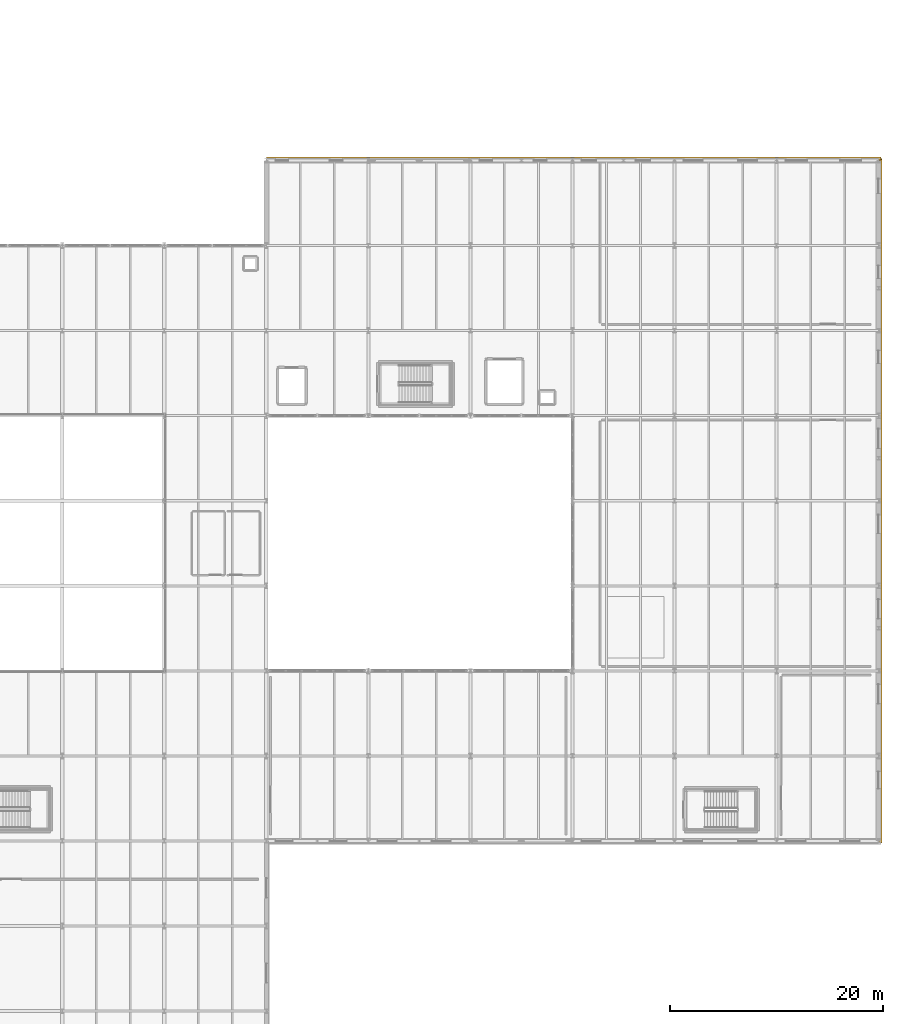
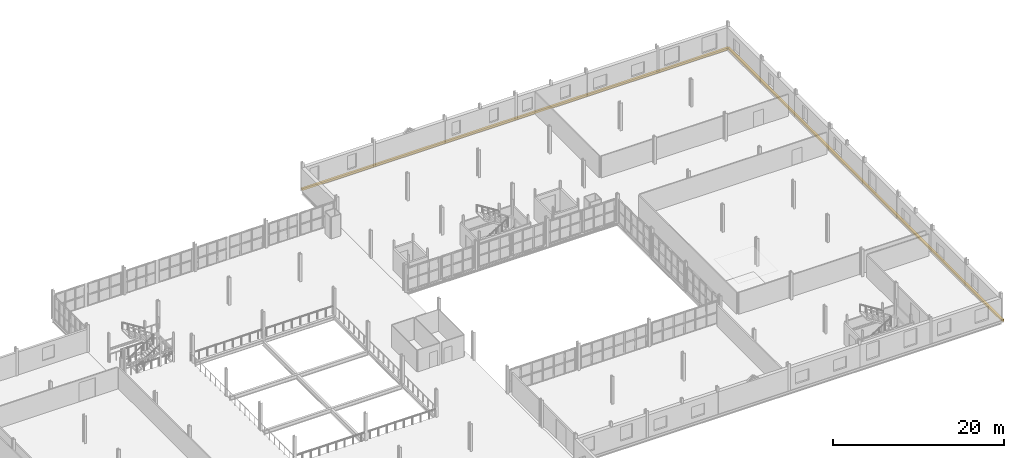
# One storey, part 78 of 78: 2 coverings.
"""IFC4 building model written with IfcOpenShell, lengths in metres."""

from ifc_helpers import new_model, si_unit, direction, frame, frame_2d, origin, place, context, subcontext, project, spatial, rectangle, extrude, material, layer, layer_set, type_object, element, save


model = new_model("IFC4")

# Units and contexts
model_context = context("Model", 3, precision=1e-05, world=origin(), true_north=direction((0.0, 1.0)))
body_context = subcontext(model_context, "Body", "Model", "MODEL_VIEW")
ifc_project = project(units=[si_unit("LENGTHUNIT", "METRE"), si_unit("AREAUNIT", "SQUARE_METRE"), si_unit("VOLUMEUNIT", "CUBIC_METRE"), si_unit("PLANEANGLEUNIT", "RADIAN"), si_unit("MASSUNIT", "GRAM", prefix="KILO")], contexts=[model_context])

# Site, building, storey
site_placement = place(None, origin())
site = spatial("IfcSite", under=ifc_project, at=site_placement, CompositionType="ELEMENT")
building_placement = place(site_placement, origin())
building = spatial("IfcBuilding", under=site, at=building_placement, Name="Alderhovde Museum", CompositionType="ELEMENT")
storey_placement = place(building_placement, frame((0.0, 0.0, 4.5)))
storey = spatial("IfcBuildingStorey", under=building, at=storey_placement, Name="L01", CompositionType="ELEMENT", Elevation=4.5)

# Coverings
ifc_material = material(Name="Carved Jura Limestone Classical Cornice Moulding", Category="masonry")
ifc_layer = layer(ifc_material, 0.280029296875)
ifc_layer_set = layer_set([ifc_layer], Name="Carved Jura Limestone Classical Cornice Moulding")
covering_type = type_object("IfcCoveringType", Name="COV-CORNICE-STONE", PredefinedType="MOLDING", material=ifc_layer_set)
covering_1_placement = place(storey_placement, frame((172.97998046875, 31.820068359375, -0.199951171875), z_axis=(0.0, 0.0, 1.0), x_axis=(0.0, 1.0, 0.0)))
element("IfcCovering", 1, at=covering_1_placement, inside=storey, type_object=covering_type, Name="L01 Classical Beaux-Arts Limestone Cornice 9", PredefinedType="MOLDING", context=body_context, shape_type="SweptSolid", body=[
    extrude(rectangle(XDim=64.35986328125, YDim=0.280029296875, at=frame_2d((32.179931640625, 0.0))), origin(), (0.0, 0.0, 1.0), 0.280029296875),
])
covering_2_placement = place(storey_placement, frame((115.199951171875, 96.179931640625, -0.199951171875), z_axis=(0.0, 0.0, 1.0), x_axis=(1.0, 0.0, 0.0)))
element("IfcCovering", 2, at=covering_2_placement, inside=storey, type_object=covering_type, Name="L01 Classical Beaux-Arts Limestone Cornice 10", PredefinedType="MOLDING", context=body_context, shape_type="SweptSolid", body=[
    extrude(rectangle(XDim=57.800048828125, YDim=0.280029296875, at=frame_2d((28.89990234375, 0.0))), origin(), (0.0, 0.0, 1.0), 0.280029296875),
])

save(model, "model.ifc")
